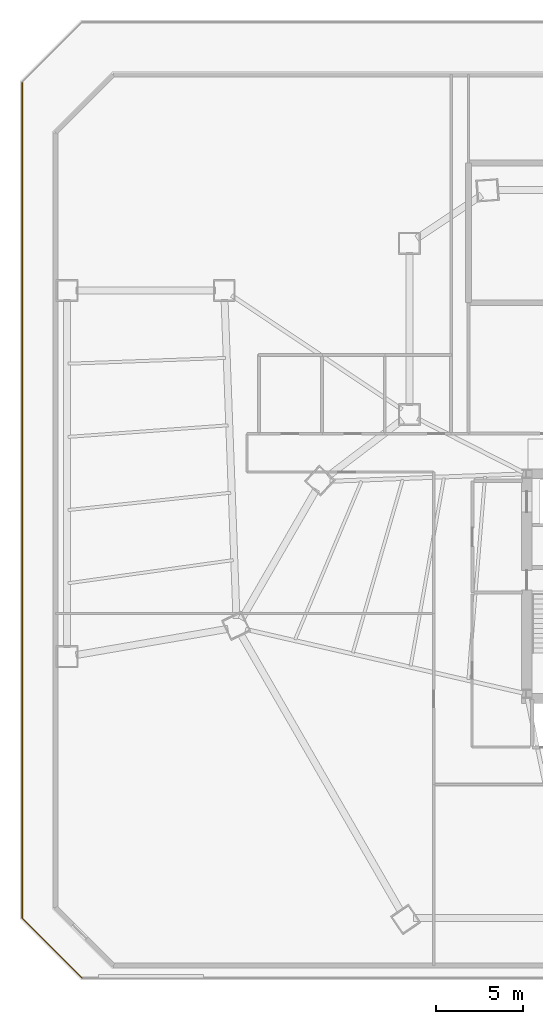
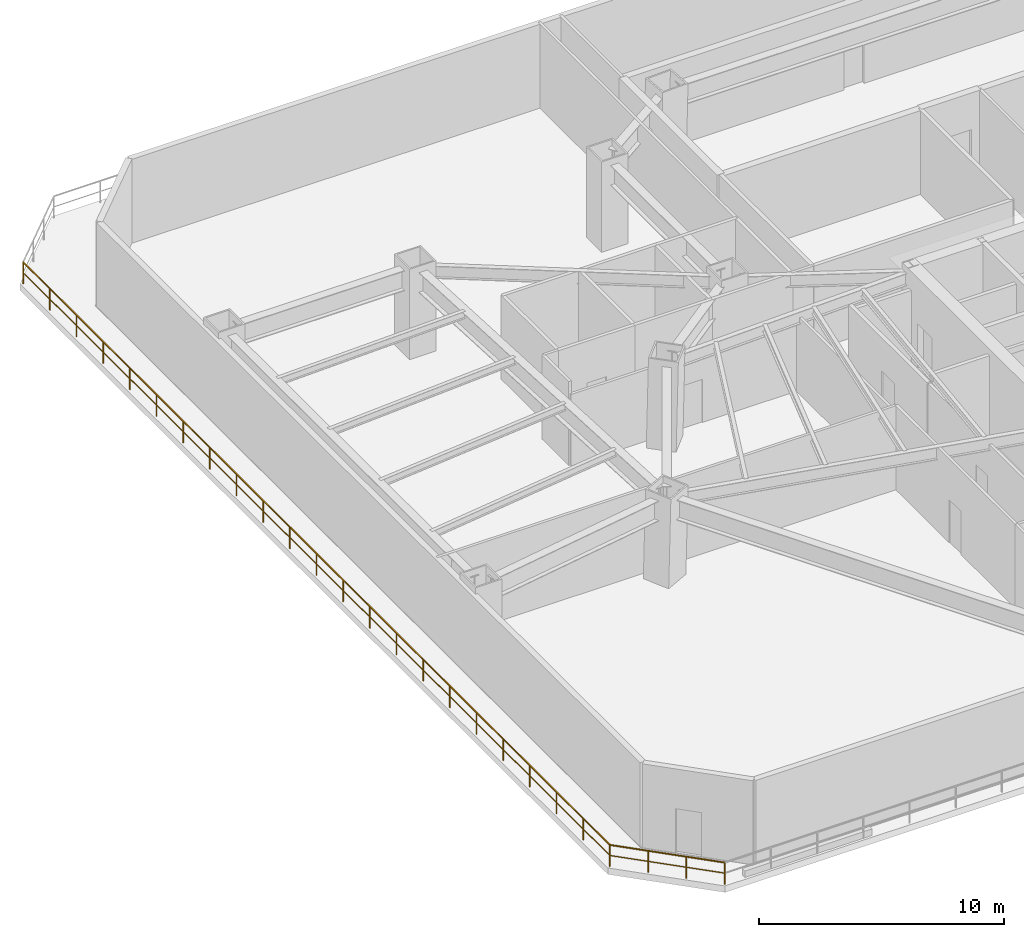
# One storey, part 9 of 13: 2 railings.
"""IFC4 building model written with IfcOpenShell, lengths in metres."""

from ifc_helpers import new_model, si_unit, direction, frame, origin, origin_2d, place, context, subcontext, project, spatial, rectangle, extrude, material, layer, layer_set, type_object, element, save


model = new_model("IFC4")

# Units and contexts
model_context = context("Model", 3, precision=1e-05, world=origin(), true_north=direction((0.0, 1.0)))
body_context = subcontext(model_context, "Body", "Model", "MODEL_VIEW")
ifc_project = project(units=[si_unit("LENGTHUNIT", "METRE"), si_unit("AREAUNIT", "SQUARE_METRE"), si_unit("VOLUMEUNIT", "CUBIC_METRE"), si_unit("PLANEANGLEUNIT", "RADIAN"), si_unit("MASSUNIT", "GRAM", prefix="KILO")], contexts=[model_context])

# Site, building, storey
site_placement = place(None, origin())
site = spatial("IfcSite", under=ifc_project, at=site_placement, CompositionType="ELEMENT")
building_placement = place(site_placement, origin())
building = spatial("IfcBuilding", under=site, at=building_placement, Name="Caelisora Broadcast Tower", CompositionType="ELEMENT")
storey_placement = place(building_placement, frame((0.0, 0.0, 10.199951171875)))
storey = spatial("IfcBuildingStorey", under=building, at=storey_placement, Name="L02", CompositionType="ELEMENT", Elevation=10.199951171875)

# Railings
ifc_material = material(Name="Laminated Glass and Stainless Steel Terrace Balustrade", Category="steel")
ifc_layer = layer(ifc_material, 0.048095703125, Name="Laminated Glass and Stainless Steel Terrace Balustrade")
ifc_layer_set = layer_set([ifc_layer], Name="Laminated Glass and Stainless Steel Terrace Balustrade")
railing_type = type_object("IfcRailingType", Name="BL-1", PredefinedType="BALUSTRADE", material=ifc_layer_set)
railing_1_placement = place(storey_placement, frame((5.050048828125, 1.1201171875, 0.0)))
element("IfcRailing", 1, at=railing_1_placement, inside=storey, type_object=railing_type, Name="L02 balustrade BL-1 #01", PredefinedType="BALUSTRADE", context=body_context, shape_type="SweptSolid", body=[
    extrude(rectangle(XDim=0.048095703125, YDim=0.048095703125, at=origin_2d()), frame((0.0, 0.0, 1.076171875), z_axis=(-0.707106781187, 0.707106781187, 0.0), x_axis=(-0.707106781187, -0.707106781187, 0.0)), (0.0, 0.0, 1.0), 4.8505859375),
    extrude(rectangle(XDim=0.03125, YDim=0.03125, at=origin_2d()), frame((0.0, 0.0, 0.550048828125), z_axis=(-0.707106781187, 0.707106781187, 0.0), x_axis=(-0.707106781187, -0.707106781187, 0.0)), (0.0, 0.0, 1.0), 4.8505859375),
    extrude(rectangle(XDim=0.0419921875, YDim=0.0419921875, at=origin_2d()), origin(), (0.0, 0.0, 1.0), 1.052001953125),
    extrude(rectangle(XDim=0.0419921875, YDim=0.0419921875, at=origin_2d()), frame((-1.143310546875, 1.143310546875, 0.0)), (0.0, 0.0, 1.0), 1.052001953125),
    extrude(rectangle(XDim=0.0419921875, YDim=0.0419921875, at=origin_2d()), frame((-2.28662109375, 2.28662109375, 0.0)), (0.0, 0.0, 1.0), 1.052001953125),
    extrude(rectangle(XDim=0.0419921875, YDim=0.0419921875, at=origin_2d()), frame((-3.429931640625, 3.429931640625, 0.0)), (0.0, 0.0, 1.0), 1.052001953125),
])
railing_2_placement = place(storey_placement, frame((1.6201171875, 4.550048828125, 0.0)))
element("IfcRailing", 2, at=railing_2_placement, inside=storey, type_object=railing_type, Name="L02 balustrade BL-1 #02", PredefinedType="BALUSTRADE", context=body_context, shape_type="SweptSolid", body=[
    extrude(rectangle(XDim=0.048095703125, YDim=0.048095703125, at=origin_2d()), frame((0.0, 0.0, 1.076171875), z_axis=(0.0, 1.0, 0.0), x_axis=(-1.0, 0.0, 0.0)), (0.0, 0.0, 1.0), 47.89990234375),
    extrude(rectangle(XDim=0.03125, YDim=0.03125, at=origin_2d()), frame((0.0, 0.0, 0.550048828125), z_axis=(0.0, 1.0, 0.0), x_axis=(-1.0, 0.0, 0.0)), (0.0, 0.0, 1.0), 47.89990234375),
    extrude(rectangle(XDim=0.0419921875, YDim=0.0419921875, at=origin_2d()), origin(), (0.0, 0.0, 1.0), 1.052001953125),
    extrude(rectangle(XDim=0.0419921875, YDim=0.0419921875, at=origin_2d()), frame((0.0, 2.17724609375, 0.0)), (0.0, 0.0, 1.0), 1.052001953125),
    extrude(rectangle(XDim=0.0419921875, YDim=0.0419921875, at=origin_2d()), frame((0.0, 4.3544921875, 0.0)), (0.0, 0.0, 1.0), 1.052001953125),
    extrude(rectangle(XDim=0.0419921875, YDim=0.0419921875, at=origin_2d()), frame((0.0, 6.53173828125, 0.0)), (0.0, 0.0, 1.0), 1.052001953125),
    extrude(rectangle(XDim=0.0419921875, YDim=0.0419921875, at=origin_2d()), frame((0.0, 8.708984375, 0.0)), (0.0, 0.0, 1.0), 1.052001953125),
    extrude(rectangle(XDim=0.0419921875, YDim=0.0419921875, at=origin_2d()), frame((0.0, 10.88623046875, 0.0)), (0.0, 0.0, 1.0), 1.052001953125),
    extrude(rectangle(XDim=0.0419921875, YDim=0.0419921875, at=origin_2d()), frame((0.0, 13.063720703125, 0.0)), (0.0, 0.0, 1.0), 1.052001953125),
    extrude(rectangle(XDim=0.0419921875, YDim=0.0419921875, at=origin_2d()), frame((0.0, 15.240966796875, 0.0)), (0.0, 0.0, 1.0), 1.052001953125),
    extrude(rectangle(XDim=0.0419921875, YDim=0.0419921875, at=origin_2d()), frame((0.0, 17.418212890625, 0.0)), (0.0, 0.0, 1.0), 1.052001953125),
    extrude(rectangle(XDim=0.0419921875, YDim=0.0419921875, at=origin_2d()), frame((0.0, 19.595458984375, 0.0)), (0.0, 0.0, 1.0), 1.052001953125),
    extrude(rectangle(XDim=0.0419921875, YDim=0.0419921875, at=origin_2d()), frame((0.0, 21.772705078125, 0.0)), (0.0, 0.0, 1.0), 1.052001953125),
    extrude(rectangle(XDim=0.0419921875, YDim=0.0419921875, at=origin_2d()), frame((0.0, 23.949951171875, 0.0)), (0.0, 0.0, 1.0), 1.052001953125),
    extrude(rectangle(XDim=0.0419921875, YDim=0.0419921875, at=origin_2d()), frame((0.0, 26.127197265625, 0.0)), (0.0, 0.0, 1.0), 1.052001953125),
    extrude(rectangle(XDim=0.0419921875, YDim=0.0419921875, at=origin_2d()), frame((0.0, 28.304443359375, 0.0)), (0.0, 0.0, 1.0), 1.052001953125),
    extrude(rectangle(XDim=0.0419921875, YDim=0.0419921875, at=origin_2d()), frame((0.0, 30.481689453125, 0.0)), (0.0, 0.0, 1.0), 1.052001953125),
    extrude(rectangle(XDim=0.0419921875, YDim=0.0419921875, at=origin_2d()), frame((0.0, 32.658935546875, 0.0)), (0.0, 0.0, 1.0), 1.052001953125),
    extrude(rectangle(XDim=0.0419921875, YDim=0.0419921875, at=origin_2d()), frame((0.0, 34.836181640625, 0.0)), (0.0, 0.0, 1.0), 1.052001953125),
    extrude(rectangle(XDim=0.0419921875, YDim=0.0419921875, at=origin_2d()), frame((0.0, 37.013671875, 0.0)), (0.0, 0.0, 1.0), 1.052001953125),
    extrude(rectangle(XDim=0.0419921875, YDim=0.0419921875, at=origin_2d()), frame((0.0, 39.19091796875, 0.0)), (0.0, 0.0, 1.0), 1.052001953125),
    extrude(rectangle(XDim=0.0419921875, YDim=0.0419921875, at=origin_2d()), frame((0.0, 41.3681640625, 0.0)), (0.0, 0.0, 1.0), 1.052001953125),
    extrude(rectangle(XDim=0.0419921875, YDim=0.0419921875, at=origin_2d()), frame((0.0, 43.54541015625, 0.0)), (0.0, 0.0, 1.0), 1.052001953125),
    extrude(rectangle(XDim=0.0419921875, YDim=0.0419921875, at=origin_2d()), frame((0.0, 45.72265625, 0.0)), (0.0, 0.0, 1.0), 1.052001953125),
    extrude(rectangle(XDim=0.0419921875, YDim=0.0419921875, at=origin_2d()), frame((0.0, 47.89990234375, 0.0)), (0.0, 0.0, 1.0), 1.052001953125),
])

save(model, "model.ifc")
